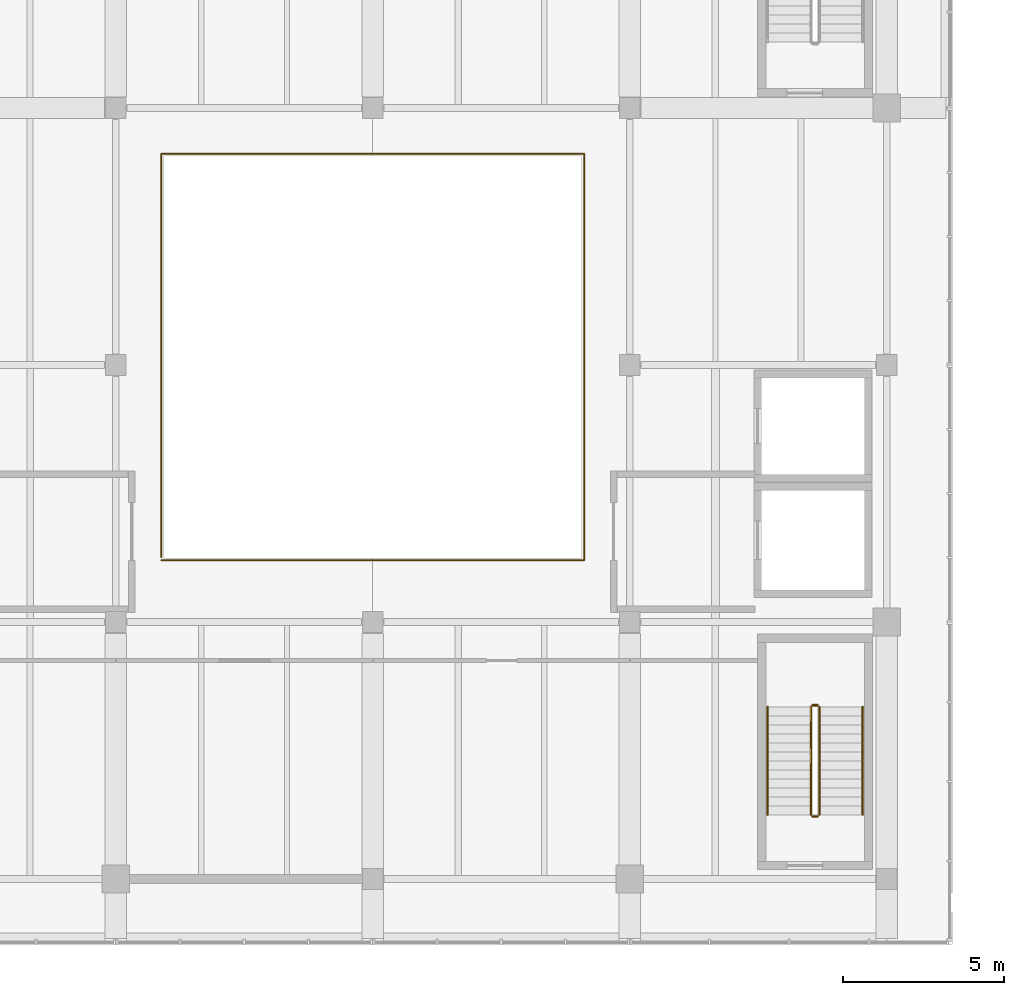
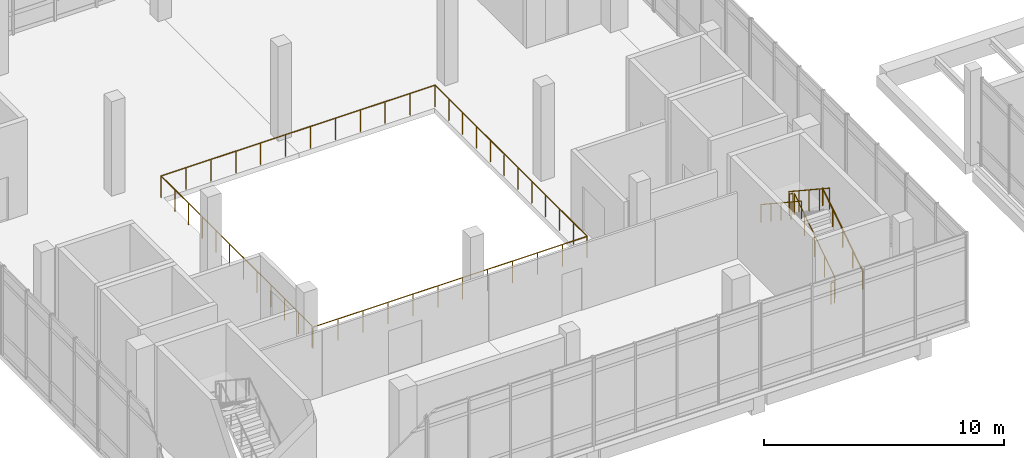
# One storey, part 25 of 28: 7 railings.
"""IFC4 building model written with IfcOpenShell, lengths in metres."""

from ifc_helpers import new_model, si_unit, direction, frame, origin, origin_2d, place, context, subcontext, project, spatial, circle, extrude, material, type_object, element, save


model = new_model("IFC4")

# Units and contexts
model_context = context("Model", 3, precision=1e-05, world=origin(), true_north=direction((0.0, 1.0)))
body_context = subcontext(model_context, "Body", "Model", "MODEL_VIEW")
ifc_project = project(units=[si_unit("LENGTHUNIT", "METRE"), si_unit("AREAUNIT", "SQUARE_METRE"), si_unit("VOLUMEUNIT", "CUBIC_METRE"), si_unit("PLANEANGLEUNIT", "RADIAN"), si_unit("MASSUNIT", "GRAM", prefix="KILO")], contexts=[model_context])

# Site, building, storey
site_placement = place(None, origin())
site = spatial("IfcSite", under=ifc_project, at=site_placement, CompositionType="ELEMENT")
building_placement = place(site_placement, origin())
building = spatial("IfcBuilding", under=site, at=building_placement, Name="Pecanmere Concourse Central Library", CompositionType="ELEMENT")
storey_placement = place(building_placement, frame((0.0, 0.0, 20.10009765625)))
storey = spatial("IfcBuildingStorey", under=building, at=storey_placement, Name="L05", CompositionType="ELEMENT", Elevation=20.10009765625)

# Railings
ifc_material_1 = material(Name="Architectural anodized bronze")
railing_type_1 = type_object("IfcRailingType", Name="RAIL_ATRIUM_BAL", PredefinedType="BALUSTRADE", material=ifc_material_1)
railing_1_placement = place(storey_placement, frame((81.419921875, 99.919921875, 0.0)))
element("IfcRailing", 1, at=railing_1_placement, inside=storey, type_object=railing_type_1, Name="Atrium Void Balustrade L05", PredefinedType="BALUSTRADE", context=body_context, shape_type="SweptSolid", body=[
    extrude(circle(Radius=0.02392578125, at=origin_2d()), frame((0.0, 0.0, 1.09619140625), z_axis=(1.0, 0.0, 0.0), x_axis=(0.0, 1.0, 0.0)), (0.0, 0.0, 1.0), 13.16015625),
    extrude(circle(Radius=0.02392578125, at=origin_2d()), frame((13.16015625, 0.0, 1.09619140625), z_axis=(0.0, 1.0, 0.0), x_axis=(-1.0, 0.0, 0.0)), (0.0, 0.0, 1.0), 12.66015625),
    extrude(circle(Radius=0.02392578125, at=origin_2d()), frame((13.16015625, 12.66015625, 1.09619140625), z_axis=(-1.0, 0.0, 0.0), x_axis=(0.0, -1.0, 0.0)), (0.0, 0.0, 1.0), 13.16015625),
    extrude(circle(Radius=0.02392578125, at=origin_2d()), frame((0.0, 12.66015625, 1.09619140625), z_axis=(0.0, -1.0, 0.0), x_axis=(1.0, 0.0, 0.0)), (0.0, 0.0, 1.0), 12.56005859375),
    extrude(circle(Radius=0.02099609375, at=origin_2d()), origin(), (0.0, 0.0, 1.0), 1.072021484375),
    extrude(circle(Radius=0.02099609375, at=origin_2d()), frame((1.1962890625, 0.0, 0.0)), (0.0, 0.0, 1.0), 1.072021484375),
    extrude(circle(Radius=0.02099609375, at=origin_2d()), frame((2.392822265625, 0.0, 0.0)), (0.0, 0.0, 1.0), 1.072021484375),
    extrude(circle(Radius=0.02099609375, at=origin_2d()), frame((3.589111328125, 0.0, 0.0)), (0.0, 0.0, 1.0), 1.072021484375),
    extrude(circle(Radius=0.02099609375, at=origin_2d()), frame((4.785400390625, 0.0, 0.0)), (0.0, 0.0, 1.0), 1.072021484375),
    extrude(circle(Radius=0.02099609375, at=origin_2d()), frame((5.98193359375, 0.0, 0.0)), (0.0, 0.0, 1.0), 1.072021484375),
    extrude(circle(Radius=0.02099609375, at=origin_2d()), frame((7.17822265625, 0.0, 0.0)), (0.0, 0.0, 1.0), 1.072021484375),
    extrude(circle(Radius=0.02099609375, at=origin_2d()), frame((8.374755859375, 0.0, 0.0)), (0.0, 0.0, 1.0), 1.072021484375),
    extrude(circle(Radius=0.02099609375, at=origin_2d()), frame((9.571044921875, 0.0, 0.0)), (0.0, 0.0, 1.0), 1.072021484375),
    extrude(circle(Radius=0.02099609375, at=origin_2d()), frame((10.767333984375, 0.0, 0.0)), (0.0, 0.0, 1.0), 1.072021484375),
    extrude(circle(Radius=0.02099609375, at=origin_2d()), frame((11.9638671875, 0.0, 0.0)), (0.0, 0.0, 1.0), 1.072021484375),
    extrude(circle(Radius=0.02099609375, at=origin_2d()), frame((13.16015625, 0.0, 0.0)), (0.0, 0.0, 1.0), 1.072021484375),
    extrude(circle(Radius=0.02099609375, at=origin_2d()), frame((13.16015625, 1.15087890625, 0.0)), (0.0, 0.0, 1.0), 1.072021484375),
    extrude(circle(Radius=0.02099609375, at=origin_2d()), frame((13.16015625, 2.3017578125, 0.0)), (0.0, 0.0, 1.0), 1.072021484375),
    extrude(circle(Radius=0.02099609375, at=origin_2d()), frame((13.16015625, 3.452880859375, 0.0)), (0.0, 0.0, 1.0), 1.072021484375),
    extrude(circle(Radius=0.02099609375, at=origin_2d()), frame((13.16015625, 4.603759765625, 0.0)), (0.0, 0.0, 1.0), 1.072021484375),
    extrude(circle(Radius=0.02099609375, at=origin_2d()), frame((13.16015625, 5.754638671875, 0.0)), (0.0, 0.0, 1.0), 1.072021484375),
    extrude(circle(Radius=0.02099609375, at=origin_2d()), frame((13.16015625, 6.905517578125, 0.0)), (0.0, 0.0, 1.0), 1.072021484375),
    extrude(circle(Radius=0.02099609375, at=origin_2d()), frame((13.16015625, 8.056396484375, 0.0)), (0.0, 0.0, 1.0), 1.072021484375),
    extrude(circle(Radius=0.02099609375, at=origin_2d()), frame((13.16015625, 9.207275390625, 0.0)), (0.0, 0.0, 1.0), 1.072021484375),
    extrude(circle(Radius=0.02099609375, at=origin_2d()), frame((13.16015625, 10.3583984375, 0.0)), (0.0, 0.0, 1.0), 1.072021484375),
    extrude(circle(Radius=0.02099609375, at=origin_2d()), frame((13.16015625, 11.50927734375, 0.0)), (0.0, 0.0, 1.0), 1.072021484375),
    extrude(circle(Radius=0.02099609375, at=origin_2d()), frame((13.16015625, 12.66015625, 0.0)), (0.0, 0.0, 1.0), 1.072021484375),
    extrude(circle(Radius=0.02099609375, at=origin_2d()), frame((11.9638671875, 12.66015625, 0.0)), (0.0, 0.0, 1.0), 1.072021484375),
    extrude(circle(Radius=0.02099609375, at=origin_2d()), frame((10.767333984375, 12.66015625, 0.0)), (0.0, 0.0, 1.0), 1.072021484375),
    extrude(circle(Radius=0.02099609375, at=origin_2d()), frame((9.571044921875, 12.66015625, 0.0)), (0.0, 0.0, 1.0), 1.072021484375),
    extrude(circle(Radius=0.02099609375, at=origin_2d()), frame((8.374755859375, 12.66015625, 0.0)), (0.0, 0.0, 1.0), 1.072021484375),
    extrude(circle(Radius=0.02099609375, at=origin_2d()), frame((7.17822265625, 12.66015625, 0.0)), (0.0, 0.0, 1.0), 1.072021484375),
    extrude(circle(Radius=0.02099609375, at=origin_2d()), frame((5.98193359375, 12.66015625, 0.0)), (0.0, 0.0, 1.0), 1.072021484375),
    extrude(circle(Radius=0.02099609375, at=origin_2d()), frame((4.785400390625, 12.66015625, 0.0)), (0.0, 0.0, 1.0), 1.072021484375),
    extrude(circle(Radius=0.02099609375, at=origin_2d()), frame((3.589111328125, 12.66015625, 0.0)), (0.0, 0.0, 1.0), 1.072021484375),
    extrude(circle(Radius=0.02099609375, at=origin_2d()), frame((2.392822265625, 12.66015625, 0.0)), (0.0, 0.0, 1.0), 1.072021484375),
    extrude(circle(Radius=0.02099609375, at=origin_2d()), frame((1.1962890625, 12.66015625, 0.0)), (0.0, 0.0, 1.0), 1.072021484375),
    extrude(circle(Radius=0.02099609375, at=origin_2d()), frame((0.0, 12.66015625, 0.0)), (0.0, 0.0, 1.0), 1.072021484375),
    extrude(circle(Radius=0.02099609375, at=origin_2d()), frame((0.0, 11.518310546875, 0.0)), (0.0, 0.0, 1.0), 1.072021484375),
    extrude(circle(Radius=0.02099609375, at=origin_2d()), frame((0.0, 10.37646484375, 0.0)), (0.0, 0.0, 1.0), 1.072021484375),
    extrude(circle(Radius=0.02099609375, at=origin_2d()), frame((0.0, 9.234619140625, 0.0)), (0.0, 0.0, 1.0), 1.072021484375),
    extrude(circle(Radius=0.02099609375, at=origin_2d()), frame((0.0, 8.0927734375, 0.0)), (0.0, 0.0, 1.0), 1.072021484375),
    extrude(circle(Radius=0.02099609375, at=origin_2d()), frame((0.0, 6.950927734375, 0.0)), (0.0, 0.0, 1.0), 1.072021484375),
    extrude(circle(Radius=0.02099609375, at=origin_2d()), frame((0.0, 5.809326171875, 0.0)), (0.0, 0.0, 1.0), 1.072021484375),
    extrude(circle(Radius=0.02099609375, at=origin_2d()), frame((0.0, 4.66748046875, 0.0)), (0.0, 0.0, 1.0), 1.072021484375),
    extrude(circle(Radius=0.02099609375, at=origin_2d()), frame((0.0, 3.525634765625, 0.0)), (0.0, 0.0, 1.0), 1.072021484375),
    extrude(circle(Radius=0.02099609375, at=origin_2d()), frame((0.0, 2.3837890625, 0.0)), (0.0, 0.0, 1.0), 1.072021484375),
    extrude(circle(Radius=0.02099609375, at=origin_2d()), frame((0.0, 1.241943359375, 0.0)), (0.0, 0.0, 1.0), 1.072021484375),
    extrude(circle(Radius=0.02099609375, at=origin_2d()), frame((0.0, 0.10009765625, 0.0)), (0.0, 0.0, 1.0), 1.072021484375),
])
ifc_material_2 = material(Name="Painted architectural steel ASTM A36", Category="steel")
railing_type_2 = type_object("IfcRailingType", Name="RAIL_STAIR_GUARD", PredefinedType="GUARDRAIL", material=ifc_material_2)
railing_2_placement = place(storey_placement, frame((101.89990234375, 92.0, 0.1845703125)))
element("IfcRailing", 2, at=railing_2_placement, inside=storey, type_object=railing_type_2, Name="L05 ST-02 Guard 1", PredefinedType="GUARDRAIL", context=body_context, shape_type="SweptSolid", body=[
    extrude(circle(Radius=0.02392578125, at=origin_2d()), frame((0.0, 0.0, 1.076171875), z_axis=(0.0, 0.834876476806, 0.550437342915), x_axis=(-1.0, 0.0, 0.0)), (0.0, 0.0, 1.0), 4.024658203125),
    extrude(circle(Radius=0.02099609375, at=origin_2d()), origin(), (0.0, 0.0, 1.0), 1.052001953125),
    extrude(circle(Radius=0.02099609375, at=origin_2d()), frame((0.0, 0.840087890625, 0.5537109375)), (0.0, 0.0, 1.0), 1.052001953125),
    extrude(circle(Radius=0.02099609375, at=origin_2d()), frame((0.0, 1.68017578125, 1.107666015625)), (0.0, 0.0, 1.0), 1.052001953125),
    extrude(circle(Radius=0.02099609375, at=origin_2d()), frame((0.0, 2.52001953125, 1.66162109375)), (0.0, 0.0, 1.0), 1.052001953125),
    extrude(circle(Radius=0.02099609375, at=origin_2d()), frame((0.0, 3.360107421875, 2.21533203125)), (0.0, 0.0, 1.0), 1.052001953125),
])
railing_3_placement = place(storey_placement, frame((101.85009765625, 95.409912109375, 2.39990234375)))
element("IfcRailing", 3, at=railing_3_placement, inside=storey, type_object=railing_type_2, Name="L05 ST-02 Guard 2", PredefinedType="GUARDRAIL", context=body_context, shape_type="SweptSolid", body=[
    extrude(circle(Radius=0.02392578125, at=origin_2d()), frame((0.0, 0.0, 1.076171875), z_axis=(-1.0, 0.0, 0.0), x_axis=(0.0, -1.0, 0.0)), (0.0, 0.0, 1.0), 0.16015625),
    extrude(circle(Radius=0.02099609375, at=origin_2d()), origin(), (0.0, 0.0, 1.0), 1.052001953125),
    extrude(circle(Radius=0.02099609375, at=origin_2d()), frame((-0.16015625, 0.0, 0.0)), (0.0, 0.0, 1.0), 1.052001953125),
])
railing_4_placement = place(storey_placement, frame((101.639892578125, 95.360107421875, 2.58447265625)))
element("IfcRailing", 4, at=railing_4_placement, inside=storey, type_object=railing_type_2, Name="L05 ST-02 Guard 3", PredefinedType="GUARDRAIL", context=body_context, shape_type="SweptSolid", body=[
    extrude(circle(Radius=0.02392578125, at=origin_2d()), frame((0.0, 0.0, 1.076171875), z_axis=(0.0, -0.834876476806, 0.550437342915), x_axis=(1.0, 0.0, 0.0)), (0.0, 0.0, 1.0), 4.024658203125),
    extrude(circle(Radius=0.02099609375, at=origin_2d()), origin(), (0.0, 0.0, 1.0), 1.052001953125),
    extrude(circle(Radius=0.02099609375, at=origin_2d()), frame((0.0, -0.840087890625, 0.5537109375)), (0.0, 0.0, 1.0), 1.052001953125),
    extrude(circle(Radius=0.02099609375, at=origin_2d()), frame((0.0, -1.68017578125, 1.107666015625)), (0.0, 0.0, 1.0), 1.052001953125),
    extrude(circle(Radius=0.02099609375, at=origin_2d()), frame((0.0, -2.52001953125, 1.66162109375)), (0.0, 0.0, 1.0), 1.052001953125),
    extrude(circle(Radius=0.02099609375, at=origin_2d()), frame((0.0, -3.360107421875, 2.21533203125)), (0.0, 0.0, 1.0), 1.052001953125),
])
railing_5_placement = place(storey_placement, frame((101.85009765625, 91.949951171875, 0.0)))
element("IfcRailing", 5, at=railing_5_placement, inside=storey, type_object=railing_type_2, Name="L05 ST-02 Guard 4", PredefinedType="GUARDRAIL", context=body_context, shape_type="SweptSolid", body=[
    extrude(circle(Radius=0.02392578125, at=origin_2d()), frame((0.0, 0.0, 1.076171875), z_axis=(-1.0, 0.0, 0.0), x_axis=(0.0, -1.0, 0.0)), (0.0, 0.0, 1.0), 0.16015625),
    extrude(circle(Radius=0.02099609375, at=origin_2d()), origin(), (0.0, 0.0, 1.0), 1.052001953125),
    extrude(circle(Radius=0.02099609375, at=origin_2d()), frame((-0.16015625, 0.0, 0.0)), (0.0, 0.0, 1.0), 1.052001953125),
])
ifc_material_3 = material(Name="Brushed stainless steel Grade 316", Category="steel")
railing_type_3 = type_object("IfcRailingType", Name="RAIL_STAIR_HR", PredefinedType="HANDRAIL", material=ifc_material_3)
railing_6_placement = place(storey_placement, frame((103.25, 92.0, 0.1845703125)))
element("IfcRailing", 6, at=railing_6_placement, inside=storey, type_object=railing_type_3, Name="L05 ST-02 Handrail 1", PredefinedType="HANDRAIL", context=body_context, shape_type="SweptSolid", body=[
    extrude(circle(Radius=0.02392578125, at=origin_2d()), frame((0.0, 0.0, 0.89111328125), z_axis=(0.0, 0.834876476806, 0.550437342915), x_axis=(-1.0, 0.0, 0.0)), (0.0, 0.0, 1.0), 4.024658203125),
    extrude(circle(Radius=0.02099609375, at=origin_2d()), origin(), (0.0, 0.0, 1.0), 0.866943359375),
    extrude(circle(Radius=0.02099609375, at=origin_2d()), frame((0.0, 0.840087890625, 0.5537109375)), (0.0, 0.0, 1.0), 0.866943359375),
    extrude(circle(Radius=0.02099609375, at=origin_2d()), frame((0.0, 1.68017578125, 1.107666015625)), (0.0, 0.0, 1.0), 0.866943359375),
    extrude(circle(Radius=0.02099609375, at=origin_2d()), frame((0.0, 2.52001953125, 1.66162109375)), (0.0, 0.0, 1.0), 0.866943359375),
    extrude(circle(Radius=0.02099609375, at=origin_2d()), frame((0.0, 3.360107421875, 2.21533203125)), (0.0, 0.0, 1.0), 0.866943359375),
])
railing_7_placement = place(storey_placement, frame((100.2900390625, 95.360107421875, 2.58447265625)))
element("IfcRailing", 7, at=railing_7_placement, inside=storey, type_object=railing_type_3, Name="L05 ST-02 Handrail 2", PredefinedType="HANDRAIL", context=body_context, shape_type="SweptSolid", body=[
    extrude(circle(Radius=0.02392578125, at=origin_2d()), frame((0.0, 0.0, 0.89111328125), z_axis=(0.0, -0.834876476806, 0.550437342915), x_axis=(1.0, 0.0, 0.0)), (0.0, 0.0, 1.0), 4.024658203125),
    extrude(circle(Radius=0.02099609375, at=origin_2d()), origin(), (0.0, 0.0, 1.0), 0.866943359375),
    extrude(circle(Radius=0.02099609375, at=origin_2d()), frame((0.0, -0.840087890625, 0.5537109375)), (0.0, 0.0, 1.0), 0.866943359375),
    extrude(circle(Radius=0.02099609375, at=origin_2d()), frame((0.0, -1.68017578125, 1.107666015625)), (0.0, 0.0, 1.0), 0.866943359375),
    extrude(circle(Radius=0.02099609375, at=origin_2d()), frame((0.0, -2.52001953125, 1.66162109375)), (0.0, 0.0, 1.0), 0.866943359375),
    extrude(circle(Radius=0.02099609375, at=origin_2d()), frame((0.0, -3.360107421875, 2.21533203125)), (0.0, 0.0, 1.0), 0.866943359375),
])

save(model, "model.ifc")
